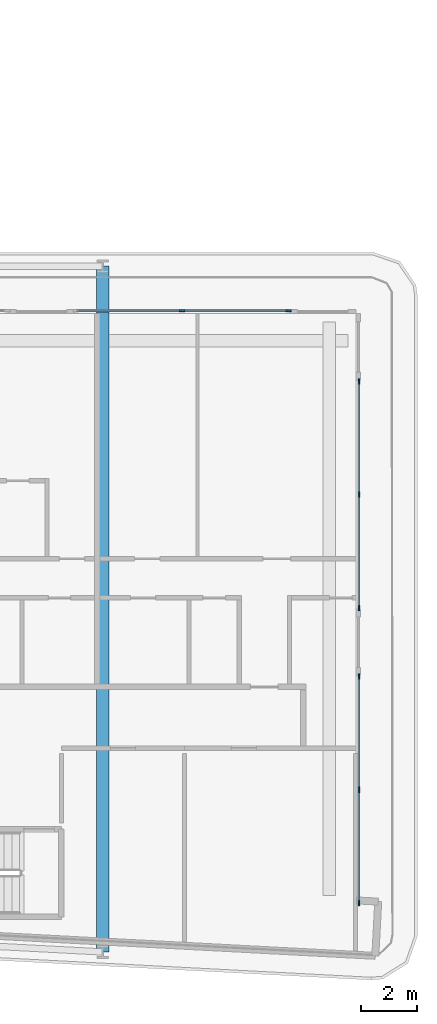
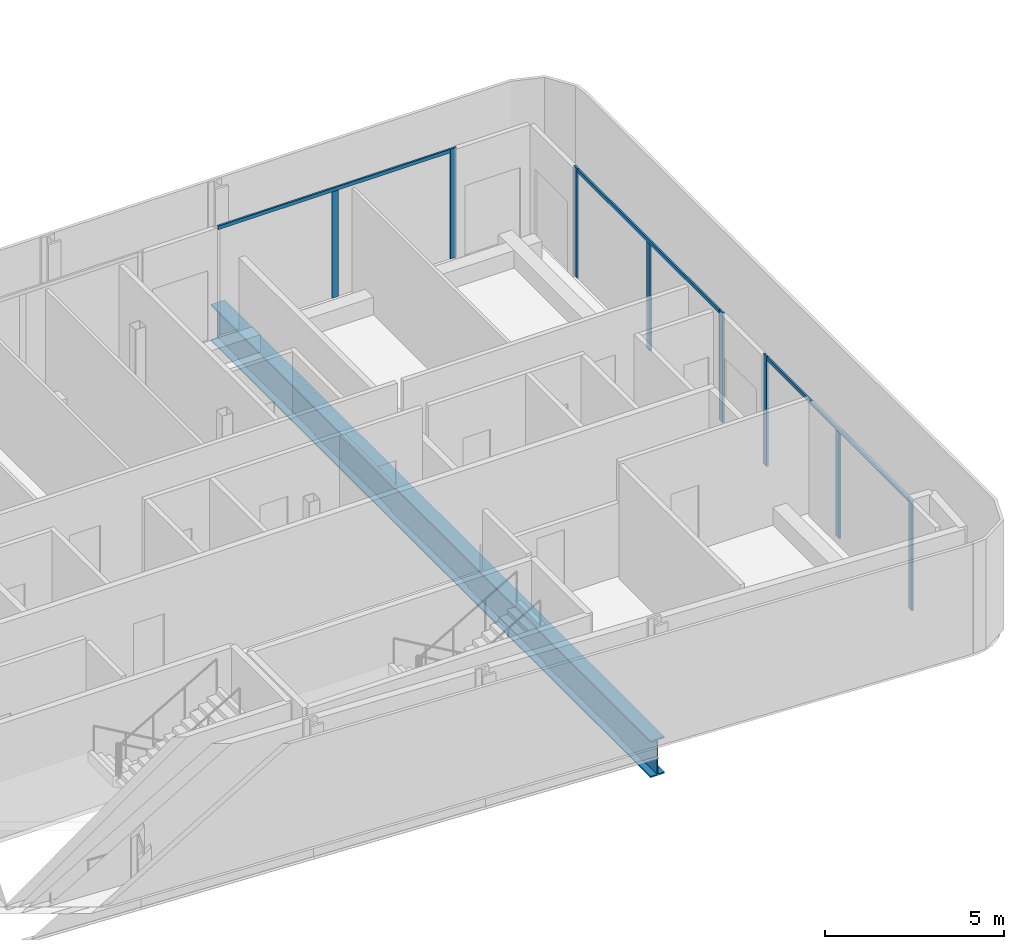
# One storey, part 8 of 25: 11 members, 1 beam, 3 elements without a shape of their own.
"""IFC4 building model written with IfcOpenShell, lengths in metres."""

from ifc_helpers import new_model, si_unit, direction, frame, origin, origin_2d, place, context, subcontext, project, spatial, rectangle, i_section, extrude, material, layer, layer_set, material_profile, profile_set, type_object, element, aggregate, save


model = new_model("IFC4")

# Units and contexts
model_context = context("Model", 3, precision=1e-05, world=origin(), true_north=direction((0.0, 1.0)))
body_context = subcontext(model_context, "Body", "Model", "MODEL_VIEW")
ifc_project = project(units=[si_unit("LENGTHUNIT", "METRE"), si_unit("AREAUNIT", "SQUARE_METRE"), si_unit("VOLUMEUNIT", "CUBIC_METRE"), si_unit("PLANEANGLEUNIT", "RADIAN"), si_unit("MASSUNIT", "GRAM", prefix="KILO")], contexts=[model_context])

# Site, building, storey
site_placement = place(None, origin())
site = spatial("IfcSite", under=ifc_project, at=site_placement, CompositionType="ELEMENT")
building_placement = place(site_placement, origin())
building = spatial("IfcBuilding", under=site, at=building_placement, Name="Kheshtan School and Residences Tower", CompositionType="ELEMENT")
storey_placement = place(building_placement, frame((0.0, 0.0, 113.60009765625)))
storey = spatial("IfcBuildingStorey", under=building, at=storey_placement, Name="L26", CompositionType="ELEMENT", Elevation=113.60009765625)

# Curtain wall, members
ifc_material_1 = material(Name="Clear low-e glass in thermally broken aluminium frame", Category="aluminium")
ifc_layer = layer(ifc_material_1, 0.199951171875)
ifc_layer_set = layer_set([ifc_layer], Name="Curtain wall CW-L")
curtain_wall_type = type_object("IfcCurtainWallType", Name="Curtain wall CW-L", PredefinedType="NOTDEFINED", material=ifc_layer_set)
curtain_wall_1_placement = place(storey_placement, origin())
curtain_wall_1 = element("IfcCurtainWall", 1, at=curtain_wall_1_placement, inside=storey, type_object=curtain_wall_type, Name="Curtain wall CWL8", PredefinedType="NOTDEFINED")
ifc_material_2 = material(Name="Thermally broken aluminium, dark bronze anodised", Category="aluminium")
ifc_material_profile_1 = material_profile(ifc_material_2, rectangle(XDim=0.06005859375, YDim=0.199951171875, at=origin_2d()), Name="CW-L mullion 60x200")
ifc_profile_set_1 = profile_set([ifc_material_profile_1], Name="Thermally broken aluminium, dark bronze anodised")
member_type_1 = type_object("IfcMemberType", Name="CW-L mullion 60x200", PredefinedType="MULLION", material=ifc_profile_set_1)
member_1_placement = place(storey_placement, frame((93.653076171875, 44.0, 0.0), z_axis=(0.0, 0.0, 1.0), x_axis=(0.0, 1.0, 0.0)))
member_1 = element("IfcMember", 2, at=member_1_placement, type_object=member_type_1, Name="CWL8 mullion 2", PredefinedType="MULLION", context=body_context, shape_type="SweptSolid", body=[
    extrude(rectangle(XDim=0.06005859375, YDim=0.199951171875, at=origin_2d()), origin(), (0.0, 0.0, 1.0), 3.6298828125),
])
member_2_placement = place(storey_placement, frame((97.469970703125, 44.0, 0.0), z_axis=(0.0, 0.0, 1.0), x_axis=(0.0, 1.0, 0.0)))
member_2 = element("IfcMember", 3, at=member_2_placement, type_object=member_type_1, Name="CWL8 mullion 3", PredefinedType="MULLION", context=body_context, shape_type="SweptSolid", body=[
    extrude(rectangle(XDim=0.06005859375, YDim=0.199951171875, at=origin_2d()), origin(), (0.0, 0.0, 1.0), 3.75),
])

curtain_wall_2_placement = place(storey_placement, origin())
curtain_wall_2 = element("IfcCurtainWall", 4, at=curtain_wall_2_placement, inside=storey, type_object=curtain_wall_type, Name="Curtain wall CWL9", PredefinedType="NOTDEFINED")
member_3_placement = place(storey_placement, frame((100.0, 41.469970703125, 0.0), z_axis=(0.0, 0.0, 1.0), x_axis=(1.0, 0.0, 0.0)))
member_3 = element("IfcMember", 5, at=member_3_placement, type_object=member_type_1, Name="CWL9 mullion 1", PredefinedType="MULLION", context=body_context, shape_type="SweptSolid", body=[
    extrude(rectangle(XDim=0.06005859375, YDim=0.199951171875, at=origin_2d()), origin(), (0.0, 0.0, 1.0), 3.75),
])
member_4_placement = place(storey_placement, frame((100.0, 37.403564453125, 0.0), z_axis=(0.0, 0.0, 1.0), x_axis=(1.0, 0.0, 0.0)))
member_4 = element("IfcMember", 6, at=member_4_placement, type_object=member_type_1, Name="CWL9 mullion 2", PredefinedType="MULLION", context=body_context, shape_type="SweptSolid", body=[
    extrude(rectangle(XDim=0.06005859375, YDim=0.199951171875, at=origin_2d()), origin(), (0.0, 0.0, 1.0), 3.6298828125),
])
member_5_placement = place(storey_placement, frame((100.0, 33.3369140625, 0.0), z_axis=(0.0, 0.0, 1.0), x_axis=(1.0, 0.0, 0.0)))
member_5 = element("IfcMember", 7, at=member_5_placement, type_object=member_type_1, Name="CWL9 mullion 3", PredefinedType="MULLION", context=body_context, shape_type="SweptSolid", body=[
    extrude(rectangle(XDim=0.06005859375, YDim=0.199951171875, at=origin_2d()), origin(), (0.0, 0.0, 1.0), 3.75),
])

curtain_wall_3_placement = place(storey_placement, origin())
curtain_wall_3 = element("IfcCurtainWall", 8, at=curtain_wall_3_placement, inside=storey, type_object=curtain_wall_type, Name="Curtain wall CWL9", PredefinedType="NOTDEFINED")
member_6_placement = place(storey_placement, frame((100.0, 30.876953125, 0.0), z_axis=(0.0, 0.0, 1.0), x_axis=(1.0, 0.0, 0.0)))
member_6 = element("IfcMember", 9, at=member_6_placement, type_object=member_type_1, Name="CWL9 mullion 1", PredefinedType="MULLION", context=body_context, shape_type="SweptSolid", body=[
    extrude(rectangle(XDim=0.06005859375, YDim=0.199951171875, at=origin_2d()), origin(), (0.0, 0.0, 1.0), 3.75),
])
member_7_placement = place(storey_placement, frame((100.0, 26.810546875, 0.0), z_axis=(0.0, 0.0, 1.0), x_axis=(1.0, 0.0, 0.0)))
member_7 = element("IfcMember", 10, at=member_7_placement, type_object=member_type_1, Name="CWL9 mullion 2", PredefinedType="MULLION", context=body_context, shape_type="SweptSolid", body=[
    extrude(rectangle(XDim=0.06005859375, YDim=0.199951171875, at=origin_2d()), origin(), (0.0, 0.0, 1.0), 3.6298828125),
])
member_8_placement = place(storey_placement, frame((100.0, 22.743896484375, 0.0), z_axis=(0.0, 0.0, 1.0), x_axis=(1.0, 0.0, 0.0)))
member_8 = element("IfcMember", 11, at=member_8_placement, type_object=member_type_1, Name="CWL9 mullion 3", PredefinedType="MULLION", context=body_context, shape_type="SweptSolid", body=[
    extrude(rectangle(XDim=0.06005859375, YDim=0.199951171875, at=origin_2d()), origin(), (0.0, 0.0, 1.0), 3.75),
])

# Member
ifc_material_profile_2 = material_profile(ifc_material_2, rectangle(XDim=0.06005859375, YDim=0.1201171875, at=origin_2d()), Name="CW-L transom 60x120")
ifc_profile_set_2 = profile_set([ifc_material_profile_2], Name="Thermally broken aluminium, dark bronze anodised")
member_type_2 = type_object("IfcMemberType", Name="CW-L transom 60x120", PredefinedType="USERDEFINED", material=ifc_profile_set_2)
member_9_placement = place(storey_placement, frame((89.865966796875, 44.0, 3.68994140625), z_axis=(1.0, 0.0, 0.0), x_axis=(0.0, 1.0, 0.0)))
member_9 = element("IfcMember", 12, at=member_9_placement, type_object=member_type_2, Name="CWL8 transom 1", ObjectType="TRANSOM", PredefinedType="USERDEFINED", context=body_context, shape_type="SweptSolid", body=[
    extrude(rectangle(XDim=0.06005859375, YDim=0.1201171875, at=origin_2d()), origin(), (0.0, 0.0, 1.0), 7.573974609375),
])

aggregate(curtain_wall_1, [member_1, member_2, member_9])

member_10_placement = place(storey_placement, frame((100.0, 41.43994140625, 3.68994140625), z_axis=(0.0, -1.0, 0.0), x_axis=(1.0, 0.0, 0.0)))
member_10 = element("IfcMember", 13, at=member_10_placement, type_object=member_type_2, Name="CWL9 transom 1", ObjectType="TRANSOM", PredefinedType="USERDEFINED", context=body_context, shape_type="SweptSolid", body=[
    extrude(rectangle(XDim=0.06005859375, YDim=0.1201171875, at=origin_2d()), origin(), (0.0, 0.0, 1.0), 8.072998046875),
])

aggregate(curtain_wall_2, [member_3, member_4, member_5, member_10])

member_11_placement = place(storey_placement, frame((100.0, 30.846923828125, 3.68994140625), z_axis=(0.0, -1.0, 0.0), x_axis=(1.0, 0.0, 0.0)))
member_11 = element("IfcMember", 14, at=member_11_placement, type_object=member_type_2, Name="CWL9 transom 1", ObjectType="TRANSOM", PredefinedType="USERDEFINED", context=body_context, shape_type="SweptSolid", body=[
    extrude(rectangle(XDim=0.06005859375, YDim=0.1201171875, at=origin_2d()), origin(), (0.0, 0.0, 1.0), 8.072998046875),
])

aggregate(curtain_wall_3, [member_6, member_7, member_8, member_11])

# Beam
ifc_material_3 = material(Name="Steel ASTM A992 Grade 50", Category="steel")
ifc_material_profile_3 = material_profile(ifc_material_3, i_section(OverallWidth=0.449951171875, OverallDepth=1.25, WebThickness=0.02490234375, FlangeThickness=0.044921875, FilletRadius=0.03759765625, at=origin_2d()), Name="WWF1250x546")
ifc_profile_set_3 = profile_set([ifc_material_profile_3], Name="Steel ASTM A992 Grade 50")
beam_type = type_object("IfcBeamType", Name="Transfer girder TG4 WWF1250x546 ASTM A992 Grade 50", PredefinedType="BEAM", material=ifc_profile_set_3)
beam_placement = place(storey_placement, frame((90.800048828125, 45.60009765625, -0.775146484375), z_axis=(0.0, -1.0, 0.0), x_axis=(1.0, 0.0, 0.0)))
element("IfcBeam", 15, at=beam_placement, inside=storey, type_object=beam_type, Name="Transfer girder C068-C006", PredefinedType="BEAM", context=body_context, shape_type="SweptSolid", body=[
    extrude(i_section(OverallWidth=0.449951171875, OverallDepth=1.25, WebThickness=0.02490234375, FlangeThickness=0.044921875, FilletRadius=0.03759765625, at=origin_2d()), origin(), (0.0, 0.0, 1.0), 24.610107421875),
])

save(model, "model.ifc")
